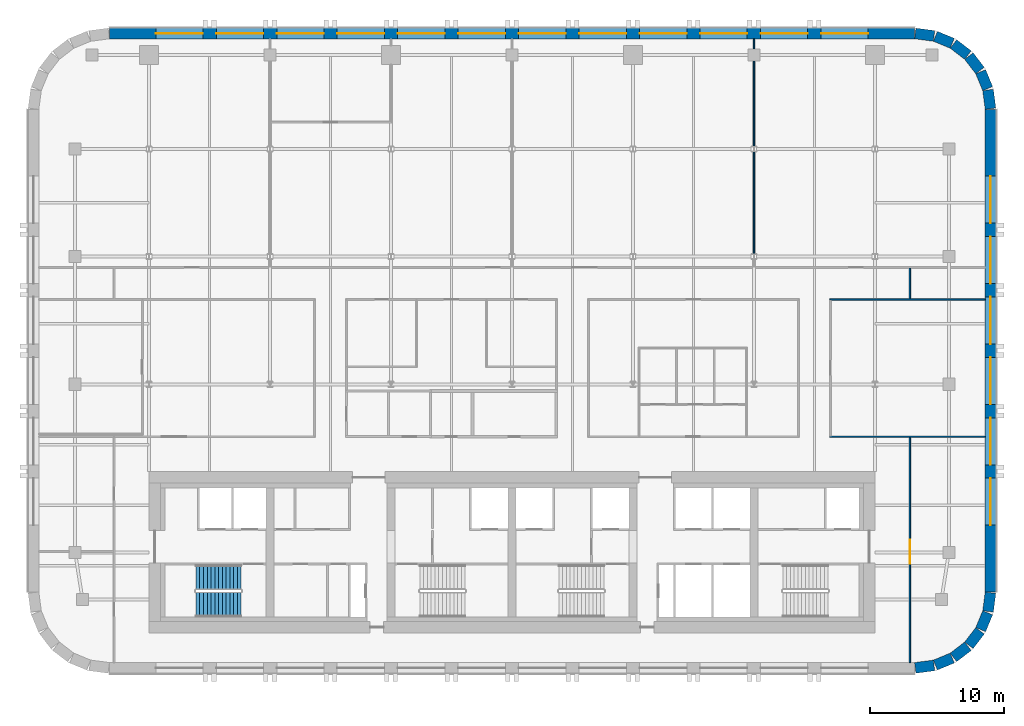
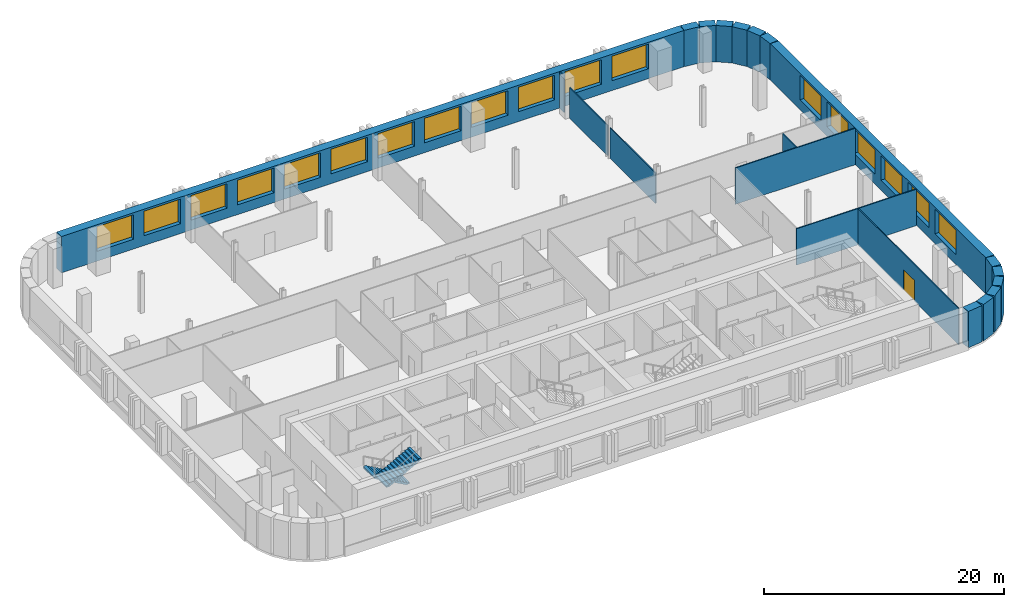
# One storey, part 8 of 11: 21 walls, 18 windows, 2 stair flights, 1 door, 19 openings, 1 element without a shape of its own.
"""IFC4 building model written with IfcOpenShell, lengths in metres."""

from ifc_helpers import new_model, si_unit, direction, frame, frame_2d, origin, place, context, subcontext, project, spatial, polyline, rectangle, outline, extrude, material, layer, layer_set, type_object, element, fill, aggregate, save


model = new_model("IFC4")

# Units and contexts
model_context = context("Model", 3, precision=1e-05, world=origin(), true_north=direction((0.0, 1.0)))
body_context = subcontext(model_context, "Body", "Model", "MODEL_VIEW")
ifc_project = project(units=[si_unit("LENGTHUNIT", "METRE"), si_unit("AREAUNIT", "SQUARE_METRE"), si_unit("VOLUMEUNIT", "CUBIC_METRE"), si_unit("PLANEANGLEUNIT", "RADIAN"), si_unit("MASSUNIT", "GRAM", prefix="KILO")], contexts=[model_context])

# Site, building, storey
site_placement = place(None, origin())
site = spatial("IfcSite", under=ifc_project, at=site_placement, CompositionType="ELEMENT")
building_placement = place(site_placement, origin())
building = spatial("IfcBuilding", under=site, at=building_placement, Name="Zellij Exchange Tower", CompositionType="ELEMENT")
storey_placement = place(building_placement, frame((0.0, 0.0, 208.5)))
storey = spatial("IfcBuildingStorey", under=building, at=storey_placement, Name="L48", CompositionType="ELEMENT", Elevation=208.5)

# Walls
ifc_material_1 = material(Name="Precast concrete C40/50", Category="concrete")
ifc_layer_1 = layer(ifc_material_1, 0.800048828125)
ifc_layer_set_1 = layer_set([ifc_layer_1], Name="Precast concrete C40/50")
wall_type_1 = type_object("IfcWallType", Name="ENV-EW1 Precast stone-piered wall 800", PredefinedType="SOLIDWALL", material=ifc_layer_set_1)
wall_1_placement = place(storey_placement, frame((29.999755859375, -16.5966796875, 0.0), z_axis=(0.0, 0.0, 1.0), x_axis=(0.99144603414, 0.130517283865, 0.0)))
element("IfcWall", 1, at=wall_1_placement, inside=storey, type_object=wall_type_1, Name="fac.L48.01", PredefinedType="SOLIDWALL", context=body_context, shape_type="SweptSolid", body=[
    extrude(rectangle(XDim=1.408447265625, YDim=0.800048828125, at=frame_2d((0.7041015625, 0.0))), origin(), (0.0, 0.0, 1.0), 3.699951171875),
])
wall_2_placement = place(storey_placement, frame((31.497314453125, -16.3857421875, 0.0), z_axis=(0.0, 0.0, 1.0), x_axis=(0.923847774587, 0.38276009378, 0.0)))
element("IfcWall", 2, at=wall_2_placement, inside=storey, type_object=wall_type_1, Name="fac.L48.02", PredefinedType="SOLIDWALL", context=body_context, shape_type="SweptSolid", body=[
    extrude(rectangle(XDim=1.35546875, YDim=0.800048828125, at=frame_2d((0.677734375, 0.0))), origin(), (0.0, 0.0, 1.0), 3.699951171875),
])
for number, where, z_axis, x_axis, name in (
    (3, (32.840087890625, -15.814697265625, 0.0), (0.0, 0.0, 1.0), (0.793272915452, 0.608866226366, 0.0), "fac.L48.03"),
    (4, (33.9892578125, -14.91552734375, 0.0), (0.0, 0.0, 1.0), (0.608866226366, 0.793272915452, 0.0), "fac.L48.04"),
):
    element("IfcWall", number, at=place(storey_placement, frame(where, z_axis=z_axis, x_axis=x_axis)), inside=storey, type_object=wall_type_1, Name=name, PredefinedType="SOLIDWALL", context=body_context, shape_type="SweptSolid", body=[
        extrude(rectangle(XDim=1.355712890625, YDim=0.800048828125, at=frame_2d((0.677734375, 0.0))), origin(), (0.0, 0.0, 1.0), 3.699951171875),
    ])
wall_3_placement = place(storey_placement, frame((34.866943359375, -13.74951171875, 0.0), z_axis=(0.0, 0.0, 1.0), x_axis=(0.38276009378, 0.923847774587, 0.0)))
element("IfcWall", 5, at=wall_3_placement, inside=storey, type_object=wall_type_1, Name="fac.L48.05", PredefinedType="SOLIDWALL", context=body_context, shape_type="SweptSolid", body=[
    extrude(rectangle(XDim=1.35546875, YDim=0.800048828125, at=frame_2d((0.677734375, 0.0))), origin(), (0.0, 0.0, 1.0), 3.699951171875),
])
wall_4_placement = place(storey_placement, frame((35.412841796875, -12.396240234375, 0.0), z_axis=(0.0, 0.0, 1.0), x_axis=(0.130517283865, 0.99144603414, 0.0)))
element("IfcWall", 6, at=wall_4_placement, inside=storey, type_object=wall_type_1, Name="fac.L48.06", PredefinedType="SOLIDWALL", context=body_context, shape_type="SweptSolid", body=[
    extrude(rectangle(XDim=1.408447265625, YDim=0.800048828125, at=frame_2d((0.7041015625, 0.0))), origin(), (0.0, 0.0, 1.0), 3.699951171875),
])

# Wall, openings, windows
wall_5_placement = place(storey_placement, frame((35.60009765625, -10.947509765625, 0.0), z_axis=(0.0, 0.0, 1.0), x_axis=(0.0, 1.0, 0.0)))
wall_5 = element("IfcWall", 7, at=wall_5_placement, inside=storey, type_object=wall_type_1, Name="fac.L48.07", PredefinedType="SOLIDWALL", context=body_context, shape_type="SweptSolid", body=[
    extrude(rectangle(XDim=35.89501953125, YDim=0.800048828125, at=frame_2d((17.947509765625, 0.0))), origin(), (0.0, 0.0, 1.0), 3.699951171875),
])
opening_1_placement = place(wall_5_placement, frame((4.9638671875, 0.0, 1.0)))
opening_1 = element("IfcOpeningElement", 8, at=opening_1_placement, cuts=wall_5, Name="Opening FZ3.13", PredefinedType="OPENING", context=body_context, shape_type="SweptSolid", body=[
    extrude(rectangle(XDim=3.5, YDim=2.5, at=frame_2d((1.75, 1.25))), frame((0.0, 0.412109375, 0.0), z_axis=(0.0, -1.0, 0.0), x_axis=(1.0, 0.0, 0.0)), (0.0, 0.0, 1.0), 0.823974609375),
])
opening_2_placement = place(wall_5_placement, frame((9.45751953125, 0.0, 1.0)))
opening_2 = element("IfcOpeningElement", 9, at=opening_2_placement, cuts=wall_5, Name="Opening FZ3.14", PredefinedType="OPENING", context=body_context, shape_type="SweptSolid", body=[
    extrude(rectangle(XDim=3.5, YDim=2.5, at=frame_2d((1.75, 1.25))), frame((0.0, 0.412109375, 0.0), z_axis=(0.0, -1.0, 0.0), x_axis=(1.0, 0.0, 0.0)), (0.0, 0.0, 1.0), 0.823974609375),
])
opening_3_placement = place(wall_5_placement, frame((13.950927734375, 0.0, 1.0)))
opening_3 = element("IfcOpeningElement", 10, at=opening_3_placement, cuts=wall_5, Name="Opening FZ3.15", PredefinedType="OPENING", context=body_context, shape_type="SweptSolid", body=[
    extrude(rectangle(XDim=3.5, YDim=2.5, at=frame_2d((1.75, 1.25))), frame((0.0, 0.412109375, 0.0), z_axis=(0.0, -1.0, 0.0), x_axis=(1.0, 0.0, 0.0)), (0.0, 0.0, 1.0), 0.823974609375),
])
opening_4_placement = place(wall_5_placement, frame((18.4443359375, 0.0, 1.0)))
opening_4 = element("IfcOpeningElement", 11, at=opening_4_placement, cuts=wall_5, Name="Opening FZ3.16", PredefinedType="OPENING", context=body_context, shape_type="SweptSolid", body=[
    extrude(rectangle(XDim=3.5, YDim=2.5, at=frame_2d((1.75, 1.25))), frame((0.0, 0.412109375, 0.0), z_axis=(0.0, -1.0, 0.0), x_axis=(1.0, 0.0, 0.0)), (0.0, 0.0, 1.0), 0.823974609375),
])
opening_5_placement = place(wall_5_placement, frame((22.937744140625, 0.0, 1.0)))
opening_5 = element("IfcOpeningElement", 12, at=opening_5_placement, cuts=wall_5, Name="Opening FZ3.17", PredefinedType="OPENING", context=body_context, shape_type="SweptSolid", body=[
    extrude(rectangle(XDim=3.5, YDim=2.5, at=frame_2d((1.75, 1.25))), frame((0.0, 0.412109375, 0.0), z_axis=(0.0, -1.0, 0.0), x_axis=(1.0, 0.0, 0.0)), (0.0, 0.0, 1.0), 0.823974609375),
])
opening_6_placement = place(wall_5_placement, frame((27.43115234375, 0.0, 1.0)))
opening_6 = element("IfcOpeningElement", 13, at=opening_6_placement, cuts=wall_5, Name="Opening FZ3.18", PredefinedType="OPENING", context=body_context, shape_type="SweptSolid", body=[
    extrude(rectangle(XDim=3.5, YDim=2.5, at=frame_2d((1.75, 1.25))), frame((0.0, 0.412109375, 0.0), z_axis=(0.0, -1.0, 0.0), x_axis=(1.0, 0.0, 0.0)), (0.0, 0.0, 1.0), 0.823974609375),
])
ifc_material_2 = material(Name="Aluminium frame with insulating glass", Category="aluminium")
window_type = type_object("IfcWindowType", Name="ENV-W1 Window 3500x2500", PartitioningType="SINGLE_PANEL", PredefinedType="WINDOW", material=ifc_material_2)
window_1_placement = place(opening_1_placement, origin())
window_1 = element("IfcWindow", 14, at=window_1_placement, inside=storey, type_object=window_type, Name="Window FZ3.13", OverallHeight=2.5, OverallWidth=3.5, PartitioningType="SINGLE_PANEL", PredefinedType="WINDOW", context=body_context, shape_type="SweptSolid", body=[
    extrude(rectangle(XDim=3.5, YDim=2.5, at=frame_2d((1.75, 1.25))), frame((0.0, 0.030029296875, 0.0), z_axis=(0.0, -1.0, 0.0), x_axis=(1.0, 0.0, 0.0)), (0.0, 0.0, 1.0), 0.06005859375),
])
fill(opening_1, window_1)
window_2_placement = place(opening_2_placement, origin())
window_2 = element("IfcWindow", 15, at=window_2_placement, inside=storey, type_object=window_type, Name="Window FZ3.14", OverallHeight=2.5, OverallWidth=3.5, PartitioningType="SINGLE_PANEL", PredefinedType="WINDOW", context=body_context, shape_type="SweptSolid", body=[
    extrude(rectangle(XDim=3.5, YDim=2.5, at=frame_2d((1.75, 1.25))), frame((0.0, 0.030029296875, 0.0), z_axis=(0.0, -1.0, 0.0), x_axis=(1.0, 0.0, 0.0)), (0.0, 0.0, 1.0), 0.06005859375),
])
fill(opening_2, window_2)
window_3_placement = place(opening_3_placement, origin())
window_3 = element("IfcWindow", 16, at=window_3_placement, inside=storey, type_object=window_type, Name="Window FZ3.15", OverallHeight=2.5, OverallWidth=3.5, PartitioningType="SINGLE_PANEL", PredefinedType="WINDOW", context=body_context, shape_type="SweptSolid", body=[
    extrude(rectangle(XDim=3.5, YDim=2.5, at=frame_2d((1.75, 1.25))), frame((0.0, 0.030029296875, 0.0), z_axis=(0.0, -1.0, 0.0), x_axis=(1.0, 0.0, 0.0)), (0.0, 0.0, 1.0), 0.06005859375),
])
fill(opening_3, window_3)
window_4_placement = place(opening_4_placement, origin())
window_4 = element("IfcWindow", 17, at=window_4_placement, inside=storey, type_object=window_type, Name="Window FZ3.16", OverallHeight=2.5, OverallWidth=3.5, PartitioningType="SINGLE_PANEL", PredefinedType="WINDOW", context=body_context, shape_type="SweptSolid", body=[
    extrude(rectangle(XDim=3.5, YDim=2.5, at=frame_2d((1.75, 1.25))), frame((0.0, 0.030029296875, 0.0), z_axis=(0.0, -1.0, 0.0), x_axis=(1.0, 0.0, 0.0)), (0.0, 0.0, 1.0), 0.06005859375),
])
fill(opening_4, window_4)
window_5_placement = place(opening_5_placement, origin())
window_5 = element("IfcWindow", 18, at=window_5_placement, inside=storey, type_object=window_type, Name="Window FZ3.17", OverallHeight=2.5, OverallWidth=3.5, PartitioningType="SINGLE_PANEL", PredefinedType="WINDOW", context=body_context, shape_type="SweptSolid", body=[
    extrude(rectangle(XDim=3.5, YDim=2.5, at=frame_2d((1.75, 1.25))), frame((0.0, 0.030029296875, 0.0), z_axis=(0.0, -1.0, 0.0), x_axis=(1.0, 0.0, 0.0)), (0.0, 0.0, 1.0), 0.06005859375),
])
fill(opening_5, window_5)
window_6_placement = place(opening_6_placement, origin())
window_6 = element("IfcWindow", 19, at=window_6_placement, inside=storey, type_object=window_type, Name="Window FZ3.18", OverallHeight=2.5, OverallWidth=3.5, PartitioningType="SINGLE_PANEL", PredefinedType="WINDOW", context=body_context, shape_type="SweptSolid", body=[
    extrude(rectangle(XDim=3.5, YDim=2.5, at=frame_2d((1.75, 1.25))), frame((0.0, 0.030029296875, 0.0), z_axis=(0.0, -1.0, 0.0), x_axis=(1.0, 0.0, 0.0)), (0.0, 0.0, 1.0), 0.06005859375),
])
fill(opening_6, window_6)

# Walls
wall_6_placement = place(storey_placement, frame((35.5966796875, 24.999755859375, 0.0), z_axis=(0.0, 0.0, 1.0), x_axis=(-0.130517283865, 0.99144603414, 0.0)))
element("IfcWall", 20, at=wall_6_placement, inside=storey, type_object=wall_type_1, Name="fac.L48.08", PredefinedType="SOLIDWALL", context=body_context, shape_type="SweptSolid", body=[
    extrude(rectangle(XDim=1.408447265625, YDim=0.800048828125, at=frame_2d((0.7041015625, 0.0))), origin(), (0.0, 0.0, 1.0), 3.699951171875),
])
wall_7_placement = place(storey_placement, frame((35.3857421875, 26.497314453125, 0.0), z_axis=(0.0, 0.0, 1.0), x_axis=(-0.38276009378, 0.923847774587, 0.0)))
element("IfcWall", 21, at=wall_7_placement, inside=storey, type_object=wall_type_1, Name="fac.L48.09", PredefinedType="SOLIDWALL", context=body_context, shape_type="SweptSolid", body=[
    extrude(rectangle(XDim=1.35546875, YDim=0.800048828125, at=frame_2d((0.677734375, 0.0))), origin(), (0.0, 0.0, 1.0), 3.699951171875),
])
for number, where, z_axis, x_axis, name in (
    (22, (34.814697265625, 27.840087890625, 0.0), (0.0, 0.0, 1.0), (-0.608866226366, 0.793272915452, 0.0), "fac.L48.10"),
    (23, (33.91552734375, 28.9892578125, 0.0), (0.0, 0.0, 1.0), (-0.793272915452, 0.608866226366, 0.0), "fac.L48.11"),
):
    element("IfcWall", number, at=place(storey_placement, frame(where, z_axis=z_axis, x_axis=x_axis)), inside=storey, type_object=wall_type_1, Name=name, PredefinedType="SOLIDWALL", context=body_context, shape_type="SweptSolid", body=[
        extrude(rectangle(XDim=1.355712890625, YDim=0.800048828125, at=frame_2d((0.677734375, 0.0))), origin(), (0.0, 0.0, 1.0), 3.699951171875),
    ])
wall_8_placement = place(storey_placement, frame((32.74951171875, 29.866943359375, 0.0), z_axis=(0.0, 0.0, 1.0), x_axis=(-0.923847774587, 0.38276009378, 0.0)))
element("IfcWall", 24, at=wall_8_placement, inside=storey, type_object=wall_type_1, Name="fac.L48.12", PredefinedType="SOLIDWALL", context=body_context, shape_type="SweptSolid", body=[
    extrude(rectangle(XDim=1.35546875, YDim=0.800048828125, at=frame_2d((0.677734375, 0.0))), origin(), (0.0, 0.0, 1.0), 3.699951171875),
])
wall_9_placement = place(storey_placement, frame((31.396240234375, 30.412841796875, 0.0), z_axis=(0.0, 0.0, 1.0), x_axis=(-0.99144603414, 0.130517283865, 0.0)))
element("IfcWall", 25, at=wall_9_placement, inside=storey, type_object=wall_type_1, Name="fac.L48.13", PredefinedType="SOLIDWALL", context=body_context, shape_type="SweptSolid", body=[
    extrude(rectangle(XDim=1.408447265625, YDim=0.800048828125, at=frame_2d((0.7041015625, 0.0))), origin(), (0.0, 0.0, 1.0), 3.699951171875),
])

# Wall, openings, windows
wall_10_placement = place(storey_placement, frame((29.947509765625, 30.60009765625, 0.0), z_axis=(0.0, 0.0, 1.0), x_axis=(-1.0, 0.0, 0.0)))
wall_10 = element("IfcWall", 26, at=wall_10_placement, inside=storey, type_object=wall_type_1, Name="fac.L48.14", PredefinedType="SOLIDWALL", context=body_context, shape_type="SweptSolid", body=[
    extrude(rectangle(XDim=59.89501953125, YDim=0.800048828125, at=frame_2d((29.947509765625, 0.0))), origin(), (0.0, 0.0, 1.0), 3.699951171875),
])
opening_7_placement = place(wall_10_placement, frame((3.447509765625, 0.0, 1.0)))
opening_7 = element("IfcOpeningElement", 27, at=opening_7_placement, cuts=wall_10, Name="Opening FZ3.19", PredefinedType="OPENING", context=body_context, shape_type="SweptSolid", body=[
    extrude(rectangle(XDim=3.5, YDim=2.5, at=frame_2d((1.75, 1.25))), frame((0.0, 0.412109375, 0.0), z_axis=(0.0, -1.0, 0.0), x_axis=(1.0, 0.0, 0.0)), (0.0, 0.0, 1.0), 0.823974609375),
])
opening_8_placement = place(wall_10_placement, frame((7.947509765625, 0.0, 1.0)))
opening_8 = element("IfcOpeningElement", 28, at=opening_8_placement, cuts=wall_10, Name="Opening FZ3.20", PredefinedType="OPENING", context=body_context, shape_type="SweptSolid", body=[
    extrude(rectangle(XDim=3.5, YDim=2.5, at=frame_2d((1.75, 1.25))), frame((0.0, 0.412109375, 0.0), z_axis=(0.0, -1.0, 0.0), x_axis=(1.0, 0.0, 0.0)), (0.0, 0.0, 1.0), 0.823974609375),
])
opening_9_placement = place(wall_10_placement, frame((12.447509765625, 0.0, 1.0)))
opening_9 = element("IfcOpeningElement", 29, at=opening_9_placement, cuts=wall_10, Name="Opening FZ3.21", PredefinedType="OPENING", context=body_context, shape_type="SweptSolid", body=[
    extrude(rectangle(XDim=3.5, YDim=2.5, at=frame_2d((1.75, 1.25))), frame((0.0, 0.412109375, 0.0), z_axis=(0.0, -1.0, 0.0), x_axis=(1.0, 0.0, 0.0)), (0.0, 0.0, 1.0), 0.823974609375),
])
opening_10_placement = place(wall_10_placement, frame((16.947509765625, 0.0, 1.0)))
opening_10 = element("IfcOpeningElement", 30, at=opening_10_placement, cuts=wall_10, Name="Opening FZ3.22", PredefinedType="OPENING", context=body_context, shape_type="SweptSolid", body=[
    extrude(rectangle(XDim=3.5, YDim=2.5, at=frame_2d((1.75, 1.25))), frame((0.0, 0.412109375, 0.0), z_axis=(0.0, -1.0, 0.0), x_axis=(1.0, 0.0, 0.0)), (0.0, 0.0, 1.0), 0.823974609375),
])
opening_11_placement = place(wall_10_placement, frame((21.447509765625, 0.0, 1.0)))
opening_11 = element("IfcOpeningElement", 31, at=opening_11_placement, cuts=wall_10, Name="Opening FZ3.23", PredefinedType="OPENING", context=body_context, shape_type="SweptSolid", body=[
    extrude(rectangle(XDim=3.5, YDim=2.5, at=frame_2d((1.75, 1.25))), frame((0.0, 0.412109375, 0.0), z_axis=(0.0, -1.0, 0.0), x_axis=(1.0, 0.0, 0.0)), (0.0, 0.0, 1.0), 0.823974609375),
])
opening_12_placement = place(wall_10_placement, frame((25.947509765625, 0.0, 1.0)))
opening_12 = element("IfcOpeningElement", 32, at=opening_12_placement, cuts=wall_10, Name="Opening FZ3.24", PredefinedType="OPENING", context=body_context, shape_type="SweptSolid", body=[
    extrude(rectangle(XDim=3.5, YDim=2.5, at=frame_2d((1.75, 1.25))), frame((0.0, 0.412109375, 0.0), z_axis=(0.0, -1.0, 0.0), x_axis=(1.0, 0.0, 0.0)), (0.0, 0.0, 1.0), 0.823974609375),
])
opening_13_placement = place(wall_10_placement, frame((30.447509765625, 0.0, 1.0)))
opening_13 = element("IfcOpeningElement", 33, at=opening_13_placement, cuts=wall_10, Name="Opening FZ3.25", PredefinedType="OPENING", context=body_context, shape_type="SweptSolid", body=[
    extrude(rectangle(XDim=3.5, YDim=2.5, at=frame_2d((1.75, 1.25))), frame((0.0, 0.412109375, 0.0), z_axis=(0.0, -1.0, 0.0), x_axis=(1.0, 0.0, 0.0)), (0.0, 0.0, 1.0), 0.823974609375),
])
opening_14_placement = place(wall_10_placement, frame((34.947509765625, 0.0, 1.0)))
opening_14 = element("IfcOpeningElement", 34, at=opening_14_placement, cuts=wall_10, Name="Opening FZ3.26", PredefinedType="OPENING", context=body_context, shape_type="SweptSolid", body=[
    extrude(rectangle(XDim=3.5, YDim=2.5, at=frame_2d((1.75, 1.25))), frame((0.0, 0.412109375, 0.0), z_axis=(0.0, -1.0, 0.0), x_axis=(1.0, 0.0, 0.0)), (0.0, 0.0, 1.0), 0.823974609375),
])
opening_15_placement = place(wall_10_placement, frame((39.447509765625, 0.0, 1.0)))
opening_15 = element("IfcOpeningElement", 35, at=opening_15_placement, cuts=wall_10, Name="Opening FZ3.27", PredefinedType="OPENING", context=body_context, shape_type="SweptSolid", body=[
    extrude(rectangle(XDim=3.5, YDim=2.5, at=frame_2d((1.75, 1.25))), frame((0.0, 0.412109375, 0.0), z_axis=(0.0, -1.0, 0.0), x_axis=(1.0, 0.0, 0.0)), (0.0, 0.0, 1.0), 0.823974609375),
])
opening_16_placement = place(wall_10_placement, frame((43.947509765625, 0.0, 1.0)))
opening_16 = element("IfcOpeningElement", 36, at=opening_16_placement, cuts=wall_10, Name="Opening FZ3.28", PredefinedType="OPENING", context=body_context, shape_type="SweptSolid", body=[
    extrude(rectangle(XDim=3.5, YDim=2.5, at=frame_2d((1.75, 1.25))), frame((0.0, 0.412109375, 0.0), z_axis=(0.0, -1.0, 0.0), x_axis=(1.0, 0.0, 0.0)), (0.0, 0.0, 1.0), 0.823974609375),
])
opening_17_placement = place(wall_10_placement, frame((48.447509765625, 0.0, 1.0)))
opening_17 = element("IfcOpeningElement", 37, at=opening_17_placement, cuts=wall_10, Name="Opening FZ3.29", PredefinedType="OPENING", context=body_context, shape_type="SweptSolid", body=[
    extrude(rectangle(XDim=3.5, YDim=2.5, at=frame_2d((1.75, 1.25))), frame((0.0, 0.412109375, 0.0), z_axis=(0.0, -1.0, 0.0), x_axis=(1.0, 0.0, 0.0)), (0.0, 0.0, 1.0), 0.823974609375),
])
opening_18_placement = place(wall_10_placement, frame((52.947509765625, 0.0, 1.0)))
opening_18 = element("IfcOpeningElement", 38, at=opening_18_placement, cuts=wall_10, Name="Opening FZ3.30", PredefinedType="OPENING", context=body_context, shape_type="SweptSolid", body=[
    extrude(rectangle(XDim=3.5, YDim=2.5, at=frame_2d((1.75, 1.25))), frame((0.0, 0.412109375, 0.0), z_axis=(0.0, -1.0, 0.0), x_axis=(1.0, 0.0, 0.0)), (0.0, 0.0, 1.0), 0.823974609375),
])
window_7_placement = place(opening_7_placement, origin())
window_7 = element("IfcWindow", 39, at=window_7_placement, inside=storey, type_object=window_type, Name="Window FZ3.19", OverallHeight=2.5, OverallWidth=3.5, PartitioningType="SINGLE_PANEL", PredefinedType="WINDOW", context=body_context, shape_type="SweptSolid", body=[
    extrude(rectangle(XDim=3.5, YDim=2.5, at=frame_2d((1.75, 1.25))), frame((0.0, 0.030029296875, 0.0), z_axis=(0.0, -1.0, 0.0), x_axis=(1.0, 0.0, 0.0)), (0.0, 0.0, 1.0), 0.06005859375),
])
fill(opening_7, window_7)
window_8_placement = place(opening_8_placement, origin())
window_8 = element("IfcWindow", 40, at=window_8_placement, inside=storey, type_object=window_type, Name="Window FZ3.20", OverallHeight=2.5, OverallWidth=3.5, PartitioningType="SINGLE_PANEL", PredefinedType="WINDOW", context=body_context, shape_type="SweptSolid", body=[
    extrude(rectangle(XDim=3.5, YDim=2.5, at=frame_2d((1.75, 1.25))), frame((0.0, 0.030029296875, 0.0), z_axis=(0.0, -1.0, 0.0), x_axis=(1.0, 0.0, 0.0)), (0.0, 0.0, 1.0), 0.06005859375),
])
fill(opening_8, window_8)
window_9_placement = place(opening_9_placement, origin())
window_9 = element("IfcWindow", 41, at=window_9_placement, inside=storey, type_object=window_type, Name="Window FZ3.21", OverallHeight=2.5, OverallWidth=3.5, PartitioningType="SINGLE_PANEL", PredefinedType="WINDOW", context=body_context, shape_type="SweptSolid", body=[
    extrude(rectangle(XDim=3.5, YDim=2.5, at=frame_2d((1.75, 1.25))), frame((0.0, 0.030029296875, 0.0), z_axis=(0.0, -1.0, 0.0), x_axis=(1.0, 0.0, 0.0)), (0.0, 0.0, 1.0), 0.06005859375),
])
fill(opening_9, window_9)
window_10_placement = place(opening_10_placement, origin())
window_10 = element("IfcWindow", 42, at=window_10_placement, inside=storey, type_object=window_type, Name="Window FZ3.22", OverallHeight=2.5, OverallWidth=3.5, PartitioningType="SINGLE_PANEL", PredefinedType="WINDOW", context=body_context, shape_type="SweptSolid", body=[
    extrude(rectangle(XDim=3.5, YDim=2.5, at=frame_2d((1.75, 1.25))), frame((0.0, 0.030029296875, 0.0), z_axis=(0.0, -1.0, 0.0), x_axis=(1.0, 0.0, 0.0)), (0.0, 0.0, 1.0), 0.06005859375),
])
fill(opening_10, window_10)
window_11_placement = place(opening_11_placement, origin())
window_11 = element("IfcWindow", 43, at=window_11_placement, inside=storey, type_object=window_type, Name="Window FZ3.23", OverallHeight=2.5, OverallWidth=3.5, PartitioningType="SINGLE_PANEL", PredefinedType="WINDOW", context=body_context, shape_type="SweptSolid", body=[
    extrude(rectangle(XDim=3.5, YDim=2.5, at=frame_2d((1.75, 1.25))), frame((0.0, 0.030029296875, 0.0), z_axis=(0.0, -1.0, 0.0), x_axis=(1.0, 0.0, 0.0)), (0.0, 0.0, 1.0), 0.06005859375),
])
fill(opening_11, window_11)
window_12_placement = place(opening_12_placement, origin())
window_12 = element("IfcWindow", 44, at=window_12_placement, inside=storey, type_object=window_type, Name="Window FZ3.24", OverallHeight=2.5, OverallWidth=3.5, PartitioningType="SINGLE_PANEL", PredefinedType="WINDOW", context=body_context, shape_type="SweptSolid", body=[
    extrude(rectangle(XDim=3.5, YDim=2.5, at=frame_2d((1.75, 1.25))), frame((0.0, 0.030029296875, 0.0), z_axis=(0.0, -1.0, 0.0), x_axis=(1.0, 0.0, 0.0)), (0.0, 0.0, 1.0), 0.06005859375),
])
fill(opening_12, window_12)
window_13_placement = place(opening_13_placement, origin())
window_13 = element("IfcWindow", 45, at=window_13_placement, inside=storey, type_object=window_type, Name="Window FZ3.25", OverallHeight=2.5, OverallWidth=3.5, PartitioningType="SINGLE_PANEL", PredefinedType="WINDOW", context=body_context, shape_type="SweptSolid", body=[
    extrude(rectangle(XDim=3.5, YDim=2.5, at=frame_2d((1.75, 1.25))), frame((0.0, 0.030029296875, 0.0), z_axis=(0.0, -1.0, 0.0), x_axis=(1.0, 0.0, 0.0)), (0.0, 0.0, 1.0), 0.06005859375),
])
fill(opening_13, window_13)
window_14_placement = place(opening_14_placement, origin())
window_14 = element("IfcWindow", 46, at=window_14_placement, inside=storey, type_object=window_type, Name="Window FZ3.26", OverallHeight=2.5, OverallWidth=3.5, PartitioningType="SINGLE_PANEL", PredefinedType="WINDOW", context=body_context, shape_type="SweptSolid", body=[
    extrude(rectangle(XDim=3.5, YDim=2.5, at=frame_2d((1.75, 1.25))), frame((0.0, 0.030029296875, 0.0), z_axis=(0.0, -1.0, 0.0), x_axis=(1.0, 0.0, 0.0)), (0.0, 0.0, 1.0), 0.06005859375),
])
fill(opening_14, window_14)
window_15_placement = place(opening_15_placement, origin())
window_15 = element("IfcWindow", 47, at=window_15_placement, inside=storey, type_object=window_type, Name="Window FZ3.27", OverallHeight=2.5, OverallWidth=3.5, PartitioningType="SINGLE_PANEL", PredefinedType="WINDOW", context=body_context, shape_type="SweptSolid", body=[
    extrude(rectangle(XDim=3.5, YDim=2.5, at=frame_2d((1.75, 1.25))), frame((0.0, 0.030029296875, 0.0), z_axis=(0.0, -1.0, 0.0), x_axis=(1.0, 0.0, 0.0)), (0.0, 0.0, 1.0), 0.06005859375),
])
fill(opening_15, window_15)
window_16_placement = place(opening_16_placement, origin())
window_16 = element("IfcWindow", 48, at=window_16_placement, inside=storey, type_object=window_type, Name="Window FZ3.28", OverallHeight=2.5, OverallWidth=3.5, PartitioningType="SINGLE_PANEL", PredefinedType="WINDOW", context=body_context, shape_type="SweptSolid", body=[
    extrude(rectangle(XDim=3.5, YDim=2.5, at=frame_2d((1.75, 1.25))), frame((0.0, 0.030029296875, 0.0), z_axis=(0.0, -1.0, 0.0), x_axis=(1.0, 0.0, 0.0)), (0.0, 0.0, 1.0), 0.06005859375),
])
fill(opening_16, window_16)
window_17_placement = place(opening_17_placement, origin())
window_17 = element("IfcWindow", 49, at=window_17_placement, inside=storey, type_object=window_type, Name="Window FZ3.29", OverallHeight=2.5, OverallWidth=3.5, PartitioningType="SINGLE_PANEL", PredefinedType="WINDOW", context=body_context, shape_type="SweptSolid", body=[
    extrude(rectangle(XDim=3.5, YDim=2.5, at=frame_2d((1.75, 1.25))), frame((0.0, 0.030029296875, 0.0), z_axis=(0.0, -1.0, 0.0), x_axis=(1.0, 0.0, 0.0)), (0.0, 0.0, 1.0), 0.06005859375),
])
fill(opening_17, window_17)
window_18_placement = place(opening_18_placement, origin())
window_18 = element("IfcWindow", 50, at=window_18_placement, inside=storey, type_object=window_type, Name="Window FZ3.30", OverallHeight=2.5, OverallWidth=3.5, PartitioningType="SINGLE_PANEL", PredefinedType="WINDOW", context=body_context, shape_type="SweptSolid", body=[
    extrude(rectangle(XDim=3.5, YDim=2.5, at=frame_2d((1.75, 1.25))), frame((0.0, 0.030029296875, 0.0), z_axis=(0.0, -1.0, 0.0), x_axis=(1.0, 0.0, 0.0)), (0.0, 0.0, 1.0), 0.06005859375),
])
fill(opening_18, window_18)

# Wall, opening, door
ifc_material_3 = material(Name="Gypsum board partition on steel studs", Category="steel")
ifc_layer_2 = layer(ifc_material_3, 0.10009765625)
ifc_layer_set_2 = layer_set([ifc_layer_2], Name="Gypsum board partition on steel studs")
wall_type_2 = type_object("IfcWallType", Name="FIT-PARTITION-100", PredefinedType="PARTITIONING", material=ifc_layer_set_2)
wall_11_placement = place(storey_placement, frame((29.60009765625, -16.199951171875, 0.0), z_axis=(0.0, 0.0, 1.0), x_axis=(0.0, 1.0, 0.0)))
wall_11 = element("IfcWall", 51, at=wall_11_placement, inside=storey, type_object=wall_type_2, Name="FIT-PARTITION-100 002", PredefinedType="PARTITIONING", context=body_context, shape_type="SweptSolid", body=[
    extrude(rectangle(XDim=16.75, YDim=0.10009765625, at=frame_2d((8.375, 0.0))), origin(), (0.0, 0.0, 1.0), 3.699951171875),
])
opening_19_placement = place(wall_11_placement, frame((7.35009765625, 0.0, 0.0)))
opening_19 = element("IfcOpeningElement", 52, at=opening_19_placement, cuts=wall_11, Name="Opening O3E.02", PredefinedType="OPENING", context=body_context, shape_type="SweptSolid", body=[
    extrude(rectangle(XDim=1.800048828125, YDim=2.10009765625, at=frame_2d((0.89990234375, 1.050048828125))), frame((0.0, 0.06201171875, 0.0), z_axis=(0.0, -1.0, 0.0), x_axis=(1.0, 0.0, 0.0)), (0.0, 0.0, 1.0), 0.1240234375),
])
ifc_material_4 = material(Name="Timber door set", Category="wood")
door_type = type_object("IfcDoorType", Name="FIT-D3-DOUBLE-1800X2100", OperationType="DOUBLE_DOOR_SINGLE_SWING", PredefinedType="DOOR", material=ifc_material_4)
door_placement = place(opening_19_placement, origin())
door = element("IfcDoor", 53, at=door_placement, inside=storey, type_object=door_type, Name="Door O3E.02", OperationType="DOUBLE_DOOR_SINGLE_SWING", OverallHeight=2.10009765625, OverallWidth=1.800048828125, PredefinedType="DOOR", context=body_context, shape_type="SweptSolid", body=[
    extrude(rectangle(XDim=1.800048828125, YDim=2.10009765625, at=frame_2d((0.89990234375, 1.050048828125))), frame((0.0, 0.02490234375, 0.0), z_axis=(0.0, -1.0, 0.0), x_axis=(1.0, 0.0, 0.0)), (0.0, 0.0, 1.0), 0.050048828125),
])
fill(opening_19, door)

# Walls
for number, where, z_axis, x_axis, name in (
    (54, (23.64990234375, 0.60009765625, 0.0), (0.0, 0.0, 1.0), (1.0, 0.0, 0.0), "FIT-PARTITION-100 019"),
    (55, (23.64990234375, 10.800048828125, 0.0), (0.0, 0.0, 1.0), (1.0, 0.0, 0.0), "FIT-PARTITION-100 039"),
):
    element("IfcWall", number, at=place(storey_placement, frame(where, z_axis=z_axis, x_axis=x_axis)), inside=storey, type_object=wall_type_2, Name=name, PredefinedType="PARTITIONING", context=body_context, shape_type="SweptSolid", body=[
        extrude(rectangle(XDim=11.550048828125, YDim=0.10009765625, at=frame_2d((5.77490234375, 0.0))), origin(), (0.0, 0.0, 1.0), 3.699951171875),
    ])
wall_12_placement = place(storey_placement, frame((29.60009765625, 10.85009765625, 0.0), z_axis=(0.0, 0.0, 1.0), x_axis=(0.0, 1.0, 0.0)))
element("IfcWall", 56, at=wall_12_placement, inside=storey, type_object=wall_type_2, Name="FIT-PARTITION-100 040", PredefinedType="PARTITIONING", context=body_context, shape_type="SweptSolid", body=[
    extrude(rectangle(XDim=2.2998046875, YDim=0.10009765625, at=frame_2d((1.14990234375, 0.0))), origin(), (0.0, 0.0, 1.0), 3.699951171875),
])
wall_13_placement = place(storey_placement, frame((18.0, 14.212158203125, 0.0), z_axis=(0.0, 0.0, 1.0), x_axis=(0.0, 1.0, 0.0)))
element("IfcWall", 57, at=wall_13_placement, inside=storey, type_object=wall_type_2, Name="FIT-PARTITION-100 051", PredefinedType="PARTITIONING", context=body_context, shape_type="SweptSolid", body=[
    extrude(rectangle(XDim=7.57568359375, YDim=0.10009765625, at=frame_2d((3.787841796875, 0.0))), origin(), (0.0, 0.0, 1.0), 3.093017578125),
])
wall_14_placement = place(storey_placement, frame((18.0, 22.212158203125, 0.0), z_axis=(0.0, 0.0, 1.0), x_axis=(0.0, 1.0, 0.0)))
element("IfcWall", 58, at=wall_14_placement, inside=storey, type_object=wall_type_2, Name="FIT-PARTITION-100 052", PredefinedType="PARTITIONING", context=body_context, shape_type="SweptSolid", body=[
    extrude(rectangle(XDim=6.337890625, YDim=0.10009765625, at=frame_2d((3.1689453125, 0.0))), origin(), (0.0, 0.0, 1.0), 3.093017578125),
])
wall_15_placement = place(storey_placement, frame((18.0, 29.449951171875, 0.0), z_axis=(0.0, 0.0, 1.0), x_axis=(0.0, 1.0, 0.0)))
element("IfcWall", 59, at=wall_15_placement, inside=storey, type_object=wall_type_2, Name="FIT-PARTITION-100 053", PredefinedType="PARTITIONING", context=body_context, shape_type="SweptSolid", body=[
    extrude(rectangle(XDim=0.75, YDim=0.10009765625, at=frame_2d((0.375, 0.0))), origin(), (0.0, 0.0, 1.0), 3.699951171875),
])

# Stair, stair flights
ifc_material_5 = material(Name="Concrete C40/50", Category="concrete")
stair_type = type_object("IfcStairType", Name="CORE-ST exit stair 1850 wide", PredefinedType="HALF_TURN_STAIR", material=ifc_material_5)
stair_placement = place(storey_placement, origin())
stair = element("IfcStair", 60, at=stair_placement, inside=storey, type_object=stair_type, Name="L48 exit stair ST1", PredefinedType="HALF_TURN_STAIR")
stair_flight_type = type_object("IfcStairFlightType", Name="CORE-SF flight 1850 riser 153.8 going 280", PredefinedType="STRAIGHT", material=ifc_material_5)
stair_flight_1_placement = place(storey_placement, frame((-20.14990234375, -9.875, 0.0), z_axis=(0.0, 0.0, 1.0), x_axis=(-1.0, 0.0, 0.0)))
stair_flight_1 = element("IfcStairFlight", 61, at=stair_flight_1_placement, type_object=stair_flight_type, Name="ST1 flight 1", NumberOfRisers=13, NumberOfTreads=12, PredefinedType="STRAIGHT", RiserHeight=0.153846154, TreadLength=0.28, context=body_context, shape_type="SweptSolid", body=[
    extrude(outline(polyline([(0.0, 0.0), (0.0, 0.15380859375), (0.280029296875, 0.15380859375), (0.280029296875, 0.3076171875), (0.56005859375, 0.3076171875), (0.56005859375, 0.46142578125), (0.840087890625, 0.46142578125), (0.840087890625, 0.615478515625), (1.1201171875, 0.615478515625), (1.1201171875, 0.769287109375), (1.39990234375, 0.769287109375), (1.39990234375, 0.923095703125), (1.679931640625, 0.923095703125), (1.679931640625, 1.076904296875), (1.9599609375, 1.076904296875), (1.9599609375, 1.230712890625), (2.239990234375, 1.230712890625), (2.239990234375, 1.384521484375), (2.52001953125, 1.384521484375), (2.52001953125, 1.53857421875), (2.800048828125, 1.53857421875), (2.800048828125, 1.6923828125), (3.080078125, 1.6923828125), (3.080078125, 1.84619140625), (3.360107421875, 1.84619140625), (3.360107421875, 2.0), (3.360107421875, 1.675048828125), (0.311279296875, 0.0), (0.0, 0.0)])), frame((0.0, 0.925048828125, 0.0), z_axis=(0.0, -1.0, 0.0), x_axis=(1.0, 0.0, 0.0)), (0.0, 0.0, 1.0), 1.85009765625),
])
stair_flight_2_placement = place(storey_placement, frame((-23.510009765625, -11.875, 2.0), z_axis=(0.0, 0.0, 1.0), x_axis=(1.0, 0.0, 0.0)))
stair_flight_2 = element("IfcStairFlight", 62, at=stair_flight_2_placement, type_object=stair_flight_type, Name="ST1 flight 2", NumberOfRisers=13, NumberOfTreads=12, PredefinedType="STRAIGHT", RiserHeight=0.153846154, TreadLength=0.28, context=body_context, shape_type="SweptSolid", body=[
    extrude(outline(polyline([(0.0, 0.0), (0.0, 0.15380859375), (0.280029296875, 0.15380859375), (0.280029296875, 0.3076171875), (0.56005859375, 0.3076171875), (0.56005859375, 0.46142578125), (0.840087890625, 0.46142578125), (0.840087890625, 0.615478515625), (1.1201171875, 0.615478515625), (1.1201171875, 0.769287109375), (1.39990234375, 0.769287109375), (1.39990234375, 0.923095703125), (1.679931640625, 0.923095703125), (1.679931640625, 1.076904296875), (1.9599609375, 1.076904296875), (1.9599609375, 1.230712890625), (2.239990234375, 1.230712890625), (2.239990234375, 1.384521484375), (2.52001953125, 1.384521484375), (2.52001953125, 1.53857421875), (2.800048828125, 1.53857421875), (2.800048828125, 1.6923828125), (3.080078125, 1.6923828125), (3.080078125, 1.84619140625), (3.360107421875, 1.84619140625), (3.360107421875, 2.0), (3.360107421875, 1.675048828125), (0.311279296875, 0.0), (0.0, 0.0)])), frame((0.0, 0.925048828125, 0.0), z_axis=(0.0, -1.0, 0.0), x_axis=(1.0, 0.0, 0.0)), (0.0, 0.0, 1.0), 1.85009765625),
])
aggregate(stair, [stair_flight_1, stair_flight_2])

save(model, "model.ifc")
